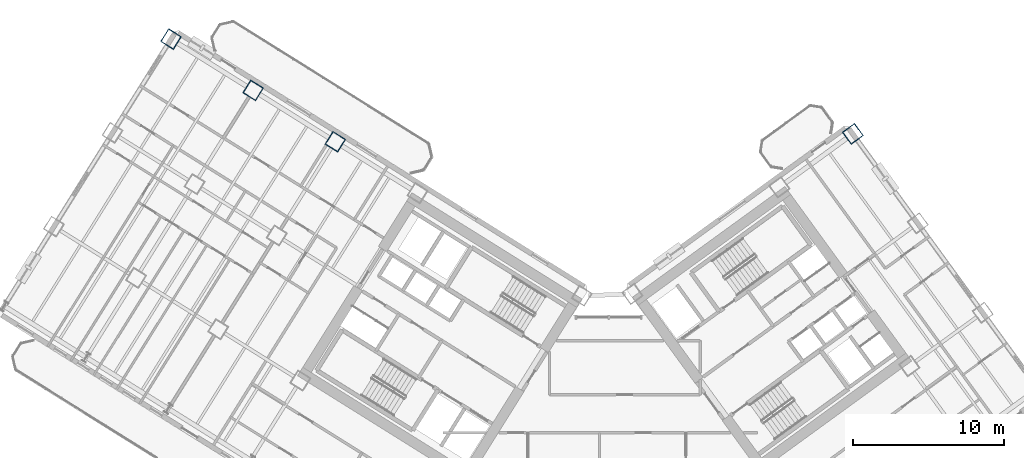
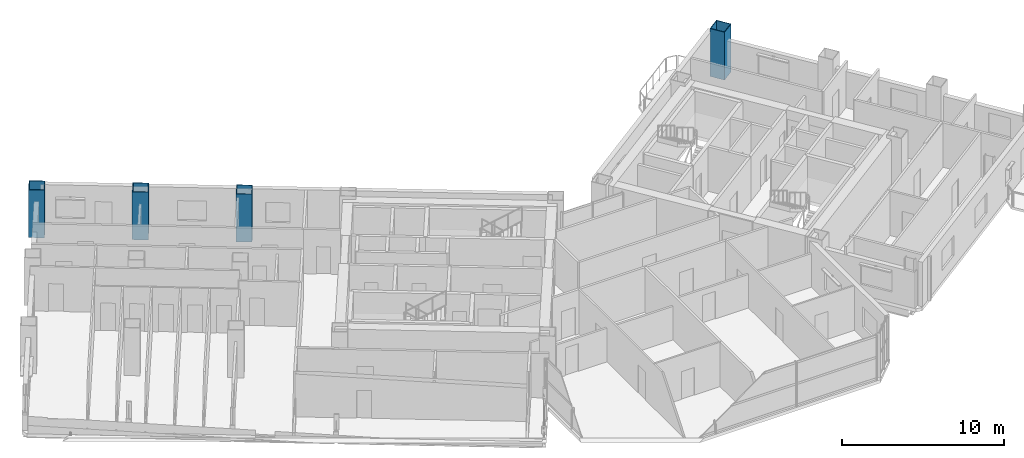
# One storey, part 3 of 24: 4 columns.
"""IFC4 building model written with IfcOpenShell, lengths in metres."""

from ifc_helpers import new_model, si_unit, direction, frame, origin, origin_2d, place, context, subcontext, project, spatial, hollow_rectangle, extrude, source, transform, mapped, material, material_profile, profile_set, type_object, element, save


model = new_model("IFC4")

# Units and contexts
model_context = context("Model", 3, precision=1e-05, world=origin(), true_north=direction((0.0, 1.0)))
body_context = subcontext(model_context, "Body", "Model", "MODEL_VIEW")
ifc_project = project(units=[si_unit("LENGTHUNIT", "METRE"), si_unit("AREAUNIT", "SQUARE_METRE"), si_unit("VOLUMEUNIT", "CUBIC_METRE"), si_unit("PLANEANGLEUNIT", "RADIAN"), si_unit("MASSUNIT", "GRAM", prefix="KILO")], contexts=[model_context])

# Site, building, storey
site_placement = place(None, origin())
site = spatial("IfcSite", under=ifc_project, at=site_placement, CompositionType="ELEMENT")
building_placement = place(site_placement, origin())
building = spatial("IfcBuilding", under=site, at=building_placement, Name="Tlacorven Tower", CompositionType="ELEMENT")
storey_placement = place(building_placement, frame((0.0, 0.0, 31.199951171875)))
storey = spatial("IfcBuildingStorey", under=building, at=storey_placement, Name="L07", CompositionType="ELEMENT", Elevation=31.199951171875)

# Columns
ifc_material = material(Name="Steel S460M", Category="steel")
ifc_material_profile = material_profile(ifc_material, hollow_rectangle(XDim=1.0, YDim=1.0, WallThickness=0.0400390625, at=origin_2d()), Name="BOX 1000X1000X40")
ifc_profile_set = profile_set([ifc_material_profile], Name="Steel S460M")
column_type = type_object("IfcColumnType", Name="COL-TWR-S1", PredefinedType="COLUMN", material=ifc_profile_set)
shared_shape = source(origin(), body_context, "Body", "SweptSolid", [
    extrude(hollow_rectangle(XDim=1.0, YDim=1.0, WallThickness=0.0400390625, at=origin_2d()), origin(), (0.0, 0.0, 1.0), 3.60009765625),
])
for number, where, z_axis, x_axis, name in (
    (1, (24.50048828125, 34.642822265625, 0.0), (0.0, 0.0, 1.0), (-0.848048096156, 0.529919264233, 0.0), "L07 column COL-L07-W4-1"),
    (2, (19.072998046875, 38.034423828125, 0.0), (0.0, 0.0, 1.0), (-0.848048096156, 0.529919264233, 0.0), "L07 column COL-L07-W5-1"),
    (3, (13.6455078125, 41.42578125, 0.0), (0.0, 0.0, 1.0), (-0.848048096156, 0.529919264233, 0.0), "L07 column COL-L07-W6-1"),
    (4, (58.68603515625, 35.165283203125, 0.0), (0.0, 0.0, 1.0), (0.809016994375, 0.587785252292, 0.0), "L07 column COL-L07-E4-4"),
):
    element("IfcColumn", number, at=place(storey_placement, frame(where, z_axis=z_axis, x_axis=x_axis)), inside=storey, type_object=column_type, Name=name, PredefinedType="COLUMN", context=body_context, shape_type="MappedRepresentation", body=[
        mapped(shared_shape, transform((0.0, 0.0, 0.0), scale=1.0)),
    ])

save(model, "model.ifc")
